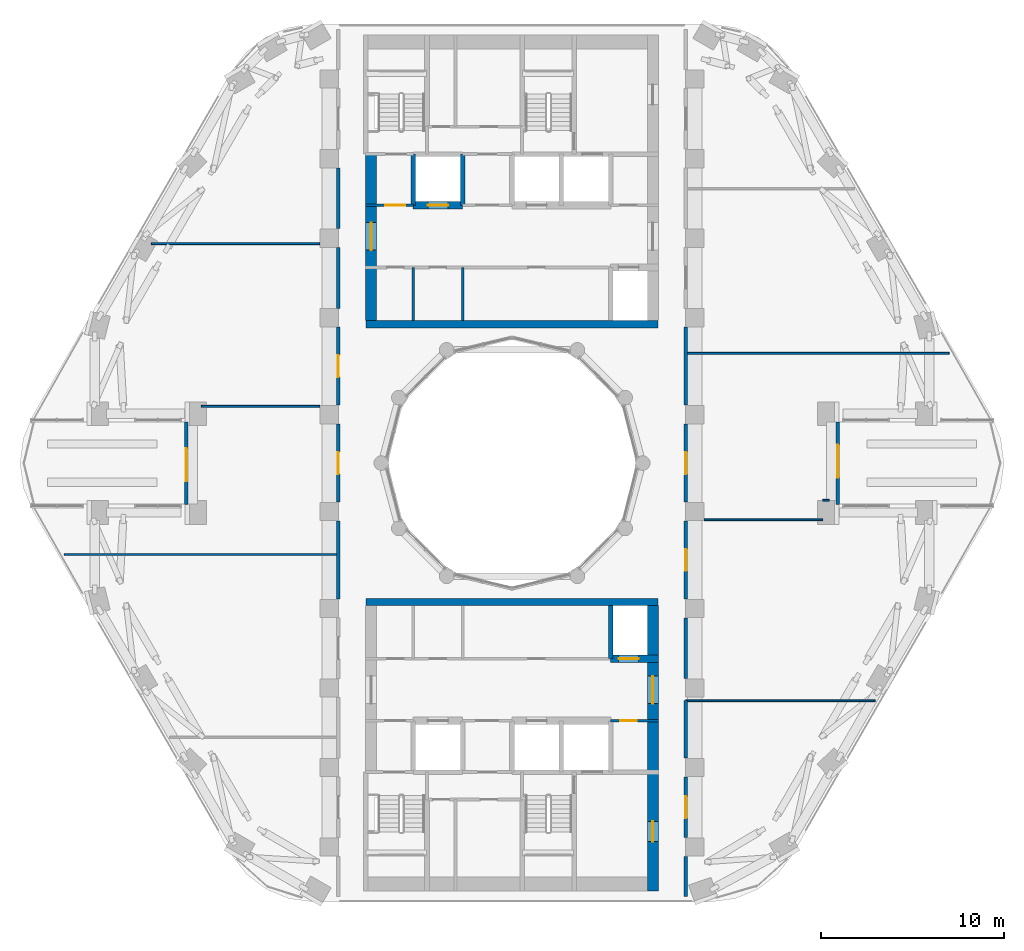
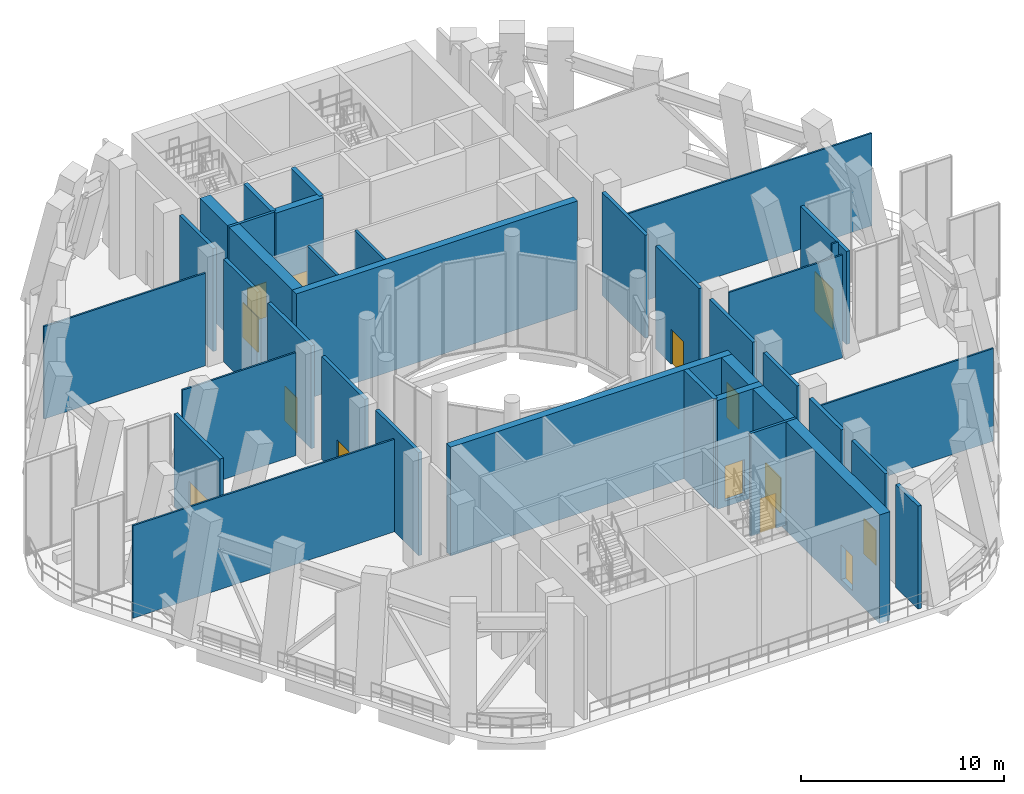
# One storey, part 9 of 19: 34 walls, 14 doors, 14 openings.
"""IFC4 building model written with IfcOpenShell, lengths in metres."""

from ifc_helpers import new_model, si_unit, direction, frame, frame_2d, origin, place, context, subcontext, project, spatial, rectangle, extrude, material, layer, layer_set, type_object, element, fill, save


model = new_model("IFC4")

# Units and contexts
model_context = context("Model", 3, precision=1e-05, world=origin(), true_north=direction((0.0, 1.0)))
body_context = subcontext(model_context, "Body", "Model", "MODEL_VIEW")
ifc_project = project(units=[si_unit("LENGTHUNIT", "METRE"), si_unit("AREAUNIT", "SQUARE_METRE"), si_unit("VOLUMEUNIT", "CUBIC_METRE"), si_unit("PLANEANGLEUNIT", "RADIAN"), si_unit("MASSUNIT", "GRAM", prefix="KILO")], contexts=[model_context])

# Site, building, storey
site_placement = place(None, origin())
site = spatial("IfcSite", under=ifc_project, at=site_placement, CompositionType="ELEMENT")
building_placement = place(site_placement, origin())
building = spatial("IfcBuilding", under=site, at=building_placement, Name="Nakaniwa Court", CompositionType="ELEMENT")
storey_placement = place(building_placement, frame((0.0, 0.0, 170.10009765625)))
storey = spatial("IfcBuildingStorey", under=building, at=storey_placement, Name="S3", CompositionType="ELEMENT", Elevation=170.10009765625)

# Wall
ifc_material_1 = material(Name="Acoustic double stud partition")
ifc_layer_1 = layer(ifc_material_1, 0.199951171875)
ifc_layer_set_1 = layer_set([ifc_layer_1], Name="Acoustic double stud partition")
wall_type_1 = type_object("IfcWallType", Name="Acoustic double stud partition 200", PredefinedType="PARTITIONING", material=ifc_layer_set_1)
wall_1_placement = place(storey_placement, frame((89.5, 56.300048828125, 0.0), z_axis=(0.0, 0.0, 1.0), x_axis=(0.0, 1.0, 0.0)))
element("IfcWall", 1, at=wall_1_placement, inside=storey, type_object=wall_type_1, Name="Partition PW-059", PredefinedType="PARTITIONING", context=body_context, shape_type="SweptSolid", body=[
    extrude(rectangle(XDim=2.182861328125, YDim=0.199951171875, at=frame_2d((1.09130859375, 0.0))), origin(), (0.0, 0.0, 1.0), 6.18994140625),
])

# Wall, opening, door
wall_2_placement = place(storey_placement, frame((89.5, 62.8330078125, 0.0), z_axis=(0.0, 0.0, 1.0), x_axis=(0.0, -1.0, 0.0)))
wall_2 = element("IfcWall", 2, at=wall_2_placement, inside=storey, type_object=wall_type_1, Name="Partition PW-060", PredefinedType="PARTITIONING", context=body_context, shape_type="SweptSolid", body=[
    extrude(rectangle(XDim=3.31591796875, YDim=0.199951171875, at=frame_2d((1.657958984375, 0.0))), origin(), (0.0, 0.0, 1.0), 6.18994140625),
])
opening_1_placement = place(wall_2_placement, frame((1.05810546875, 0.0, 0.0)))
opening_1 = element("IfcOpeningElement", 3, at=opening_1_placement, cuts=wall_2, Name="Opening D-35-01", PredefinedType="OPENING", context=body_context, shape_type="SweptSolid", body=[
    extrude(rectangle(XDim=1.199951171875, YDim=2.10009765625, at=frame_2d((0.60009765625, 1.050048828125))), frame((0.0, 0.10986328125, 0.0), z_axis=(0.0, -1.0, 0.0), x_axis=(1.0, 0.0, 0.0)), (0.0, 0.0, 1.0), 0.219970703125),
])
ifc_material_2 = material(Name="Fire rated steel door set", Category="steel")
door_type_1 = type_object("IfcDoorType", Name="Service room door 1200", OperationType="NOTDEFINED", PredefinedType="DOOR", material=ifc_material_2)
door_1_placement = place(opening_1_placement, origin())
door_1 = element("IfcDoor", 4, at=door_1_placement, inside=storey, type_object=door_type_1, Name="Door D-35-01 S3-023", OperationType="SINGLE_SWING_RIGHT", OverallHeight=2.10009765625, OverallWidth=1.199951171875, PredefinedType="DOOR", context=body_context, shape_type="SweptSolid", body=[
    extrude(rectangle(XDim=1.199951171875, YDim=2.10009765625, at=frame_2d((0.60009765625, 1.050048828125))), frame((0.0, 0.02490234375, 0.0), z_axis=(0.0, -1.0, 0.0), x_axis=(1.0, 0.0, 0.0)), (0.0, 0.0, 1.0), 0.050048828125),
])
fill(opening_1, door_1)

# Walls
wall_3_placement = place(storey_placement, frame((89.5, 63.866943359375, 0.0), z_axis=(0.0, 0.0, 1.0), x_axis=(0.0, 1.0, 0.0)))
element("IfcWall", 5, at=wall_3_placement, inside=storey, type_object=wall_type_1, Name="Partition PW-061", PredefinedType="PARTITIONING", context=body_context, shape_type="SweptSolid", body=[
    extrude(rectangle(XDim=3.135986328125, YDim=0.199951171875, at=frame_2d((1.56787109375, 0.0))), origin(), (0.0, 0.0, 1.0), 6.18994140625),
])
wall_4_placement = place(storey_placement, frame((89.5, 68.217041015625, 0.0), z_axis=(0.0, 0.0, 1.0), x_axis=(0.0, 1.0, 0.0)))
element("IfcWall", 6, at=wall_4_placement, inside=storey, type_object=wall_type_1, Name="Partition PW-062", PredefinedType="PARTITIONING", context=body_context, shape_type="SweptSolid", body=[
    extrude(rectangle(XDim=3.31591796875, YDim=0.199951171875, at=frame_2d((1.657958984375, 0.0))), origin(), (0.0, 0.0, 1.0), 6.18994140625),
])

# Wall, opening, door
wall_5_placement = place(storey_placement, frame((89.5, 76.8330078125, 0.0), z_axis=(0.0, 0.0, 1.0), x_axis=(0.0, -1.0, 0.0)))
wall_5 = element("IfcWall", 7, at=wall_5_placement, inside=storey, type_object=wall_type_1, Name="Partition PW-063", PredefinedType="PARTITIONING", context=body_context, shape_type="SweptSolid", body=[
    extrude(rectangle(XDim=4.26611328125, YDim=0.199951171875, at=frame_2d((2.133056640625, 0.0))), origin(), (0.0, 0.0, 1.0), 6.18994140625),
])
opening_2_placement = place(wall_5_placement, frame((1.532958984375, 0.0, 0.0)))
opening_2 = element("IfcOpeningElement", 8, at=opening_2_placement, cuts=wall_5, Name="Opening D-30-01", PredefinedType="OPENING", context=body_context, shape_type="SweptSolid", body=[
    extrude(rectangle(XDim=1.199951171875, YDim=2.10009765625, at=frame_2d((0.60009765625, 1.050048828125))), frame((0.0, 0.10986328125, 0.0), z_axis=(0.0, -1.0, 0.0), x_axis=(1.0, 0.0, 0.0)), (0.0, 0.0, 1.0), 0.219970703125),
])
ifc_material_3 = material(Name="Solid core timber door set, black veneer", Category="wood")
door_type_2 = type_object("IfcDoorType", Name="Internal door 1200", OperationType="NOTDEFINED", PredefinedType="DOOR", material=ifc_material_3)
door_2_placement = place(opening_2_placement, origin())
door_2 = element("IfcDoor", 9, at=door_2_placement, inside=storey, type_object=door_type_2, Name="Door D-30-01 S3-024", OperationType="SINGLE_SWING_LEFT", OverallHeight=2.10009765625, OverallWidth=1.199951171875, PredefinedType="DOOR", context=body_context, shape_type="SweptSolid", body=[
    extrude(rectangle(XDim=1.199951171875, YDim=2.10009765625, at=frame_2d((0.60009765625, 1.050048828125))), frame((0.0, 0.02490234375, 0.0), z_axis=(0.0, -1.0, 0.0), x_axis=(1.0, 0.0, 0.0)), (0.0, 0.0, 1.0), 0.050048828125),
])
fill(opening_2, door_2)

wall_6_placement = place(storey_placement, frame((89.5, 82.133056640625, 0.0), z_axis=(0.0, 0.0, 1.0), x_axis=(0.0, -1.0, 0.0)))
wall_6 = element("IfcWall", 10, at=wall_6_placement, inside=storey, type_object=wall_type_1, Name="Partition PW-064", PredefinedType="PARTITIONING", context=body_context, shape_type="SweptSolid", body=[
    extrude(rectangle(XDim=4.26611328125, YDim=0.199951171875, at=frame_2d((2.133056640625, 0.0))), origin(), (0.0, 0.0, 1.0), 6.18994140625),
])
opening_3_placement = place(wall_6_placement, frame((1.532958984375, 0.0, 0.0)))
opening_3 = element("IfcOpeningElement", 11, at=opening_3_placement, cuts=wall_6, Name="Opening D-30-02", PredefinedType="OPENING", context=body_context, shape_type="SweptSolid", body=[
    extrude(rectangle(XDim=1.199951171875, YDim=2.10009765625, at=frame_2d((0.60009765625, 1.050048828125))), frame((0.0, 0.10986328125, 0.0), z_axis=(0.0, -1.0, 0.0), x_axis=(1.0, 0.0, 0.0)), (0.0, 0.0, 1.0), 0.219970703125),
])
door_3_placement = place(opening_3_placement, origin())
door_3 = element("IfcDoor", 12, at=door_3_placement, inside=storey, type_object=door_type_2, Name="Door D-30-02 S3-025", OperationType="SINGLE_SWING_RIGHT", OverallHeight=2.10009765625, OverallWidth=1.199951171875, PredefinedType="DOOR", context=body_context, shape_type="SweptSolid", body=[
    extrude(rectangle(XDim=1.199951171875, YDim=2.10009765625, at=frame_2d((0.60009765625, 1.050048828125))), frame((0.0, 0.02490234375, 0.0), z_axis=(0.0, -1.0, 0.0), x_axis=(1.0, 0.0, 0.0)), (0.0, 0.0, 1.0), 0.050048828125),
])
fill(opening_3, door_3)

# Walls
for number, where, z_axis, x_axis, name in (
    (13, (89.5, 83.1669921875, 0.0), (0.0, 0.0, 1.0), (0.0, 1.0, 0.0), "Partition PW-065"),
    (14, (70.5, 72.56689453125, 0.0), (0.0, 0.0, 1.0), (0.0, 1.0, 0.0), "Partition PW-078"),
):
    element("IfcWall", number, at=place(storey_placement, frame(where, z_axis=z_axis, x_axis=x_axis)), inside=storey, type_object=wall_type_1, Name=name, PredefinedType="PARTITIONING", context=body_context, shape_type="SweptSolid", body=[
        extrude(rectangle(XDim=4.26611328125, YDim=0.199951171875, at=frame_2d((2.133056640625, 0.0))), origin(), (0.0, 0.0, 1.0), 6.18994140625),
    ])

# Wall, opening, door
wall_7_placement = place(storey_placement, frame((70.5, 77.866943359375, 0.0), z_axis=(0.0, 0.0, 1.0), x_axis=(0.0, 1.0, 0.0)))
wall_7 = element("IfcWall", 15, at=wall_7_placement, inside=storey, type_object=wall_type_1, Name="Partition PW-079", PredefinedType="PARTITIONING", context=body_context, shape_type="SweptSolid", body=[
    extrude(rectangle(XDim=4.26611328125, YDim=0.199951171875, at=frame_2d((2.133056640625, 0.0))), origin(), (0.0, 0.0, 1.0), 6.18994140625),
])
opening_4_placement = place(wall_7_placement, frame((1.532958984375, 0.0, 0.0)))
opening_4 = element("IfcOpeningElement", 16, at=opening_4_placement, cuts=wall_7, Name="Opening D-30-05", PredefinedType="OPENING", context=body_context, shape_type="SweptSolid", body=[
    extrude(rectangle(XDim=1.199951171875, YDim=2.10009765625, at=frame_2d((0.60009765625, 1.050048828125))), frame((0.0, 0.10986328125, 0.0), z_axis=(0.0, -1.0, 0.0), x_axis=(1.0, 0.0, 0.0)), (0.0, 0.0, 1.0), 0.219970703125),
])
door_4_placement = place(opening_4_placement, origin())
door_4 = element("IfcDoor", 17, at=door_4_placement, inside=storey, type_object=door_type_2, Name="Door D-30-05 S3-030", OperationType="SINGLE_SWING_LEFT", OverallHeight=2.10009765625, OverallWidth=1.199951171875, PredefinedType="DOOR", context=body_context, shape_type="SweptSolid", body=[
    extrude(rectangle(XDim=1.199951171875, YDim=2.10009765625, at=frame_2d((0.60009765625, 1.050048828125))), frame((0.0, 0.02490234375, 0.0), z_axis=(0.0, -1.0, 0.0), x_axis=(1.0, 0.0, 0.0)), (0.0, 0.0, 1.0), 0.050048828125),
])
fill(opening_4, door_4)

wall_8_placement = place(storey_placement, frame((70.5, 83.1669921875, 0.0), z_axis=(0.0, 0.0, 1.0), x_axis=(0.0, 1.0, 0.0)))
wall_8 = element("IfcWall", 18, at=wall_8_placement, inside=storey, type_object=wall_type_1, Name="Partition PW-080", PredefinedType="PARTITIONING", context=body_context, shape_type="SweptSolid", body=[
    extrude(rectangle(XDim=4.26611328125, YDim=0.199951171875, at=frame_2d((2.133056640625, 0.0))), origin(), (0.0, 0.0, 1.0), 6.18994140625),
])
opening_5_placement = place(wall_8_placement, frame((1.532958984375, 0.0, 0.0)))
opening_5 = element("IfcOpeningElement", 19, at=opening_5_placement, cuts=wall_8, Name="Opening D-35-04", PredefinedType="OPENING", context=body_context, shape_type="SweptSolid", body=[
    extrude(rectangle(XDim=1.199951171875, YDim=2.10009765625, at=frame_2d((0.60009765625, 1.050048828125))), frame((0.0, 0.10986328125, 0.0), z_axis=(0.0, -1.0, 0.0), x_axis=(1.0, 0.0, 0.0)), (0.0, 0.0, 1.0), 0.219970703125),
])
door_5_placement = place(opening_5_placement, origin())
door_5 = element("IfcDoor", 20, at=door_5_placement, inside=storey, type_object=door_type_1, Name="Door D-35-04 S3-031", OperationType="SINGLE_SWING_RIGHT", OverallHeight=2.10009765625, OverallWidth=1.199951171875, PredefinedType="DOOR", context=body_context, shape_type="SweptSolid", body=[
    extrude(rectangle(XDim=1.199951171875, YDim=2.10009765625, at=frame_2d((0.60009765625, 1.050048828125))), frame((0.0, 0.02490234375, 0.0), z_axis=(0.0, -1.0, 0.0), x_axis=(1.0, 0.0, 0.0)), (0.0, 0.0, 1.0), 0.050048828125),
])
fill(opening_5, door_5)

# Walls
wall_9_placement = place(storey_placement, frame((70.5, 88.467041015625, 0.0), z_axis=(0.0, 0.0, 1.0), x_axis=(0.0, 1.0, 0.0)))
element("IfcWall", 21, at=wall_9_placement, inside=storey, type_object=wall_type_1, Name="Partition PW-081", PredefinedType="PARTITIONING", context=body_context, shape_type="SweptSolid", body=[
    extrude(rectangle(XDim=3.31591796875, YDim=0.199951171875, at=frame_2d((1.657958984375, 0.0))), origin(), (0.0, 0.0, 1.0), 6.18994140625),
])
wall_10_placement = place(storey_placement, frame((70.5, 92.81689453125, 0.0), z_axis=(0.0, 0.0, 1.0), x_axis=(0.0, 1.0, 0.0)))
element("IfcWall", 22, at=wall_10_placement, inside=storey, type_object=wall_type_1, Name="Partition PW-082", PredefinedType="PARTITIONING", context=body_context, shape_type="SweptSolid", body=[
    extrude(rectangle(XDim=3.316162109375, YDim=0.199951171875, at=frame_2d((1.658203125, 0.0))), origin(), (0.0, 0.0, 1.0), 6.18994140625),
])

# Wall, opening, door
ifc_material_4 = material(Name="Charcoal ceramic cladding")
ifc_layer_2 = layer(ifc_material_4, 0.02, Name="Ceramic cladding")
ifc_material_5 = material(Name="Ventilated air cavity")
ifc_layer_3 = layer(ifc_material_5, 0.04, ventilated=True, Name="Ventilated cavity")
ifc_material_6 = material(Name="Mineral wool insulation")
ifc_layer_4 = layer(ifc_material_6, 0.05, Name="Insulation")
ifc_material_7 = material(Name="Cement bonded sheathing board")
ifc_layer_5 = layer(ifc_material_7, 0.012, Name="Sheathing")
ifc_material_8 = material(Name="Cold-formed galvanised stud frame with mineral wool infill")
ifc_layer_6 = layer(ifc_material_8, 0.05, Name="Stud frame")
ifc_material_9 = material(Name="Fire-rated gypsum plasterboard lining")
ifc_layer_7 = layer(ifc_material_9, 0.028, Name="Lining")
ifc_layer_set_2 = layer_set([ifc_layer_2, ifc_layer_3, ifc_layer_4, ifc_layer_5, ifc_layer_6, ifc_layer_7], Name="Charcoal ceramic faced external wall system")
wall_type_2 = type_object("IfcWallType", Name="Black ceramic faced external wall 200", PredefinedType="SOLIDWALL", material=ifc_layer_set_2)
wall_11_placement = place(storey_placement, frame((62.191650390625, 82.25390625, 0.0), z_axis=(0.0, 0.0, 1.0), x_axis=(0.0, -1.0, 0.0)))
wall_11 = element("IfcWall", 23, at=wall_11_placement, inside=storey, type_object=wall_type_2, Name="S3 sky garden terrace wall 1", PredefinedType="SOLIDWALL", context=body_context, shape_type="SweptSolid", body=[
    extrude(rectangle(XDim=4.5078125, YDim=0.199951171875, at=frame_2d((2.25390625, 0.0))), origin(), (0.0, 0.0, 1.0), 5.58984375),
])
opening_6_placement = place(wall_11_placement, frame((1.4541015625, 0.0, 0.0)))
opening_6 = element("IfcOpeningElement", 24, at=opening_6_placement, cuts=wall_11, Name="Opening XD11.01", PredefinedType="OPENING", context=body_context, shape_type="SweptSolid", body=[
    extrude(rectangle(XDim=1.800048828125, YDim=2.39990234375, at=frame_2d((0.89990234375, 1.199951171875))), frame((0.0, 0.10986328125, 0.0), z_axis=(0.0, -1.0, 0.0), x_axis=(1.0, 0.0, 0.0)), (0.0, 0.0, 1.0), 0.219970703125),
])
ifc_material_10 = material(Name="Black powder-coated aluminium frame with dark laminated glass", Category="aluminium")
door_type_3 = type_object("IfcDoorType", Name="Terrace double door 1800x2400", OperationType="DOUBLE_DOOR_SINGLE_SWING", PredefinedType="DOOR", material=ifc_material_10)
door_6_placement = place(opening_6_placement, frame((1.800048828125, 0.0, 0.0), z_axis=(0.0, 0.0, 1.0), x_axis=(-1.0, 0.0, 0.0)))
door_6 = element("IfcDoor", 25, at=door_6_placement, inside=storey, type_object=door_type_3, Name="S3 terrace double door t1", OperationType="DOUBLE_DOOR_SINGLE_SWING", OverallHeight=2.39990234375, OverallWidth=1.800048828125, PredefinedType="DOOR", context=body_context, shape_type="SweptSolid", body=[
    extrude(rectangle(XDim=1.800048828125, YDim=2.39990234375, at=frame_2d((0.89990234375, 1.199951171875))), frame((0.0, 0.02490234375, 0.0), z_axis=(0.0, -1.0, 0.0), x_axis=(1.0, 0.0, 0.0)), (0.0, 0.0, 1.0), 0.050048828125),
])
fill(opening_6, door_6)

wall_12_placement = place(storey_placement, frame((97.808349609375, 77.74609375, 0.0), z_axis=(0.0, 0.0, 1.0), x_axis=(0.0, 1.0, 0.0)))
wall_12 = element("IfcWall", 26, at=wall_12_placement, inside=storey, type_object=wall_type_2, Name="S3 sky garden terrace wall 2", PredefinedType="SOLIDWALL", context=body_context, shape_type="SweptSolid", body=[
    extrude(rectangle(XDim=4.5078125, YDim=0.199951171875, at=frame_2d((2.25390625, 0.0))), origin(), (0.0, 0.0, 1.0), 5.58984375),
])
opening_7_placement = place(wall_12_placement, frame((1.4541015625, 0.0, 0.0)))
opening_7 = element("IfcOpeningElement", 27, at=opening_7_placement, cuts=wall_12, Name="Opening XD11.02", PredefinedType="OPENING", context=body_context, shape_type="SweptSolid", body=[
    extrude(rectangle(XDim=1.800048828125, YDim=2.39990234375, at=frame_2d((0.89990234375, 1.199951171875))), frame((0.0, 0.10986328125, 0.0), z_axis=(0.0, -1.0, 0.0), x_axis=(1.0, 0.0, 0.0)), (0.0, 0.0, 1.0), 0.219970703125),
])
door_7_placement = place(opening_7_placement, frame((1.800048828125, 0.0, 0.0), z_axis=(0.0, 0.0, 1.0), x_axis=(-1.0, 0.0, 0.0)))
door_7 = element("IfcDoor", 28, at=door_7_placement, inside=storey, type_object=door_type_3, Name="S3 terrace double door t2", OperationType="DOUBLE_DOOR_SINGLE_SWING", OverallHeight=2.39990234375, OverallWidth=1.800048828125, PredefinedType="DOOR", context=body_context, shape_type="SweptSolid", body=[
    extrude(rectangle(XDim=1.800048828125, YDim=2.39990234375, at=frame_2d((0.89990234375, 1.199951171875))), frame((0.0, 0.02490234375, 0.0), z_axis=(0.0, -1.0, 0.0), x_axis=(1.0, 0.0, 0.0)), (0.0, 0.0, 1.0), 0.050048828125),
])
fill(opening_7, door_7)

# Walls
ifc_material_11 = material(Name="Blockwork partition", Category="masonry")
ifc_layer_8 = layer(ifc_material_11, 0.14990234375)
ifc_layer_set_3 = layer_set([ifc_layer_8], Name="Blockwork partition")
wall_type_3 = type_object("IfcWallType", Name="Blockwork partition 150", PredefinedType="PARTITIONING", material=ifc_layer_set_3)
for number, where, z_axis, x_axis, name in (
    (29, (74.60009765625, 87.800048828125, 0.0), (0.0, 0.0, 1.0), (0.0, 1.0, 0.0), "Partition PW-001"),
    (30, (77.300048828125, 87.800048828125, 0.0), (0.0, 0.0, 1.0), (0.0, 1.0, 0.0), "Partition PW-008"),
):
    element("IfcWall", number, at=place(storey_placement, frame(where, z_axis=z_axis, x_axis=x_axis)), inside=storey, type_object=wall_type_3, Name=name, PredefinedType="PARTITIONING", context=body_context, shape_type="SweptSolid", body=[
        extrude(rectangle(XDim=2.89990234375, YDim=0.14990234375, at=frame_2d((1.449951171875, 0.0))), origin(), (0.0, 0.0, 1.0), 6.18994140625),
    ])

# Wall, opening, door
wall_13_placement = place(storey_placement, frame((72.0, 94.10009765625, 0.0), z_axis=(0.0, 0.0, 1.0), x_axis=(1.0, 0.0, 0.0)))
wall_13 = element("IfcWall", 31, at=wall_13_placement, inside=storey, type_object=wall_type_3, Name="Partition PW-009", PredefinedType="PARTITIONING", context=body_context, shape_type="SweptSolid", body=[
    extrude(rectangle(XDim=2.60302734375, YDim=0.14990234375, at=frame_2d((1.301513671875, 0.0))), origin(), (0.0, 0.0, 1.0), 6.18994140625),
])
opening_8_placement = place(wall_13_placement, frame((1.074951171875, 0.0, 0.0)))
opening_8 = element("IfcOpeningElement", 32, at=opening_8_placement, cuts=wall_13, Name="Opening D-08-01", PredefinedType="OPENING", context=body_context, shape_type="SweptSolid", body=[
    extrude(rectangle(XDim=1.10009765625, YDim=2.10009765625, at=frame_2d((0.550048828125, 1.050048828125))), frame((0.0, 0.0849609375, 0.0), z_axis=(0.0, -1.0, 0.0), x_axis=(1.0, 0.0, 0.0)), (0.0, 0.0, 1.0), 0.169921875),
])
door_type_4 = type_object("IfcDoorType", Name="Stair lobby door 1100", OperationType="NOTDEFINED", PredefinedType="DOOR", material=ifc_material_2)
door_8_placement = place(opening_8_placement, origin())
door_8 = element("IfcDoor", 33, at=door_8_placement, inside=storey, type_object=door_type_4, Name="Door D-08-01 S3-004", OperationType="SINGLE_SWING_LEFT", OverallHeight=2.10009765625, OverallWidth=1.10009765625, PredefinedType="DOOR", context=body_context, shape_type="SweptSolid", body=[
    extrude(rectangle(XDim=1.10009765625, YDim=2.10009765625, at=frame_2d((0.550048828125, 1.050048828125))), frame((0.0, 0.02490234375, 0.0), z_axis=(0.0, -1.0, 0.0), x_axis=(1.0, 0.0, 0.0)), (0.0, 0.0, 1.0), 0.050048828125),
])
fill(opening_8, door_8)

wall_14_placement = place(storey_placement, frame((88.0, 65.89990234375, 0.0), z_axis=(0.0, 0.0, 1.0), x_axis=(-1.0, 0.0, 0.0)))
wall_14 = element("IfcWall", 34, at=wall_14_placement, inside=storey, type_object=wall_type_3, Name="Partition PW-040", PredefinedType="PARTITIONING", context=body_context, shape_type="SweptSolid", body=[
    extrude(rectangle(XDim=2.60302734375, YDim=0.14990234375, at=frame_2d((1.301513671875, 0.0))), origin(), (0.0, 0.0, 1.0), 6.18994140625),
])
opening_9_placement = place(wall_14_placement, frame((1.175048828125, 0.0, 0.0)))
opening_9 = element("IfcOpeningElement", 35, at=opening_9_placement, cuts=wall_14, Name="Opening D-05-10", PredefinedType="OPENING", context=body_context, shape_type="SweptSolid", body=[
    extrude(rectangle(XDim=0.89990234375, YDim=2.10009765625, at=frame_2d((0.449951171875, 1.050048828125))), frame((0.0, 0.0849609375, 0.0), z_axis=(0.0, -1.0, 0.0), x_axis=(1.0, 0.0, 0.0)), (0.0, 0.0, 1.0), 0.169921875),
])
door_type_5 = type_object("IfcDoorType", Name="Service room door 900", OperationType="NOTDEFINED", PredefinedType="DOOR", material=ifc_material_2)
door_9_placement = place(opening_9_placement, origin())
door_9 = element("IfcDoor", 36, at=door_9_placement, inside=storey, type_object=door_type_5, Name="Door D-05-10 S3-017", OperationType="SINGLE_SWING_RIGHT", OverallHeight=2.10009765625, OverallWidth=0.89990234375, PredefinedType="DOOR", context=body_context, shape_type="SweptSolid", body=[
    extrude(rectangle(XDim=0.89990234375, YDim=2.10009765625, at=frame_2d((0.449951171875, 1.050048828125))), frame((0.0, 0.02490234375, 0.0), z_axis=(0.0, -1.0, 0.0), x_axis=(1.0, 0.0, 0.0)), (0.0, 0.0, 1.0), 0.050048828125),
])
fill(opening_9, door_9)

ifc_material_12 = material(Name="Concrete C80/100", Category="concrete")
ifc_layer_9 = layer(ifc_material_12, 0.60009765625)
ifc_layer_set_4 = layer_set([ifc_layer_9], Name="Concrete C80/100")
wall_type_4 = type_object("IfcWallType", Name="Concrete core side wall 600 C80", PredefinedType="SHEAR", material=ifc_layer_set_4)
wall_15_placement = place(storey_placement, frame((72.300048828125, 87.800048828125, -0.35009765625), z_axis=(0.0, 0.0, 1.0), x_axis=(0.0, 1.0, 0.0)))
wall_15 = element("IfcWall", 37, at=wall_15_placement, inside=storey, type_object=wall_type_4, Name="Core wall SW-03", PredefinedType="SHEAR", context=body_context, shape_type="SweptSolid", body=[
    extrude(rectangle(XDim=9.099853515625, YDim=0.60009765625, at=frame_2d((4.5498046875, 0.0))), origin(), (0.0, 0.0, 1.0), 6.5400390625),
])
opening_10_placement = place(wall_15_placement, frame((3.85009765625, 0.0, 0.35009765625)))
opening_10 = element("IfcOpeningElement", 38, at=opening_10_placement, cuts=wall_15, Name="Opening D-07-02", PredefinedType="OPENING", context=body_context, shape_type="SweptSolid", body=[
    extrude(rectangle(XDim=1.5, YDim=2.10009765625, at=frame_2d((0.75, 1.050048828125))), frame((0.0, 0.31005859375, 0.0), z_axis=(0.0, -1.0, 0.0), x_axis=(1.0, 0.0, 0.0)), (0.0, 0.0, 1.0), 0.6201171875),
])
ifc_material_13 = material(Name="Glazed fire rated steel double door set", Category="steel")
door_type_6 = type_object("IfcDoorType", Name="Lobby double door 1500", OperationType="NOTDEFINED", PredefinedType="DOOR", material=ifc_material_13)
door_10_placement = place(opening_10_placement, origin())
door_10 = element("IfcDoor", 39, at=door_10_placement, inside=storey, type_object=door_type_6, Name="Door D-07-02 S3-034", OperationType="DOUBLE_DOOR_SINGLE_SWING", OverallHeight=2.10009765625, OverallWidth=1.5, PredefinedType="DOOR", context=body_context, shape_type="SweptSolid", body=[
    extrude(rectangle(XDim=1.5, YDim=2.10009765625, at=frame_2d((0.75, 1.050048828125))), frame((0.0, 0.02490234375, 0.0), z_axis=(0.0, -1.0, 0.0), x_axis=(1.0, 0.0, 0.0)), (0.0, 0.0, 1.0), 0.050048828125),
])
fill(opening_10, door_10)

# Wall, openings, doors
wall_16_placement = place(storey_placement, frame((87.699951171875, 72.199951171875, -0.35009765625), z_axis=(0.0, 0.0, 1.0), x_axis=(0.0, -1.0, 0.0)))
wall_16 = element("IfcWall", 40, at=wall_16_placement, inside=storey, type_object=wall_type_4, Name="Core wall SW-36", PredefinedType="SHEAR", context=body_context, shape_type="SweptSolid", body=[
    extrude(rectangle(XDim=15.599853515625, YDim=0.60009765625, at=frame_2d((7.7998046875, 0.0))), origin(), (0.0, 0.0, 1.0), 6.5400390625),
])
opening_11_placement = place(wall_16_placement, frame((3.85009765625, 0.0, 0.35009765625)))
opening_11 = element("IfcOpeningElement", 41, at=opening_11_placement, cuts=wall_16, Name="Opening D-07-03", PredefinedType="OPENING", context=body_context, shape_type="SweptSolid", body=[
    extrude(rectangle(XDim=1.5, YDim=2.10009765625, at=frame_2d((0.75, 1.050048828125))), frame((0.0, 0.31005859375, 0.0), z_axis=(0.0, -1.0, 0.0), x_axis=(1.0, 0.0, 0.0)), (0.0, 0.0, 1.0), 0.6201171875),
])
opening_12_placement = place(wall_16_placement, frame((11.800048828125, 0.0, 0.35009765625)))
opening_12 = element("IfcOpeningElement", 42, at=opening_12_placement, cuts=wall_16, Name="Opening D-10-02", PredefinedType="OPENING", context=body_context, shape_type="SweptSolid", body=[
    extrude(rectangle(XDim=1.10009765625, YDim=2.10009765625, at=frame_2d((0.550048828125, 1.050048828125))), frame((0.0, 0.31005859375, 0.0), z_axis=(0.0, -1.0, 0.0), x_axis=(1.0, 0.0, 0.0)), (0.0, 0.0, 1.0), 0.6201171875),
])
door_type_7 = type_object("IfcDoorType", Name="Firefighting lobby door 1100", OperationType="NOTDEFINED", PredefinedType="DOOR", material=ifc_material_2)
door_11_placement = place(opening_12_placement, origin())
door_11 = element("IfcDoor", 43, at=door_11_placement, inside=storey, type_object=door_type_7, Name="Door D-10-02 S3-038", OperationType="SINGLE_SWING_LEFT", OverallHeight=2.10009765625, OverallWidth=1.10009765625, PredefinedType="DOOR", context=body_context, shape_type="SweptSolid", body=[
    extrude(rectangle(XDim=1.10009765625, YDim=2.10009765625, at=frame_2d((0.550048828125, 1.050048828125))), frame((0.0, 0.02490234375, 0.0), z_axis=(0.0, -1.0, 0.0), x_axis=(1.0, 0.0, 0.0)), (0.0, 0.0, 1.0), 0.050048828125),
])
fill(opening_12, door_11)
door_12_placement = place(opening_11_placement, origin())
door_12 = element("IfcDoor", 44, at=door_12_placement, inside=storey, type_object=door_type_6, Name="Door D-07-03 S3-036", OperationType="DOUBLE_DOOR_SINGLE_SWING", OverallHeight=2.10009765625, OverallWidth=1.5, PredefinedType="DOOR", context=body_context, shape_type="SweptSolid", body=[
    extrude(rectangle(XDim=1.5, YDim=2.10009765625, at=frame_2d((0.75, 1.050048828125))), frame((0.0, 0.02490234375, 0.0), z_axis=(0.0, -1.0, 0.0), x_axis=(1.0, 0.0, 0.0)), (0.0, 0.0, 1.0), 0.050048828125),
])
fill(opening_11, door_12)

# Wall, opening, door
ifc_layer_10 = layer(ifc_material_12, 0.39990234375)
ifc_layer_set_5 = layer_set([ifc_layer_10], Name="Concrete C80/100")
wall_type_5 = type_object("IfcWallType", Name="Concrete core spine wall 400 C80", PredefinedType="SHEAR", material=ifc_layer_set_5)
wall_17_placement = place(storey_placement, frame((74.596923828125, 94.10009765625, -0.35009765625), z_axis=(0.0, 0.0, 1.0), x_axis=(1.0, 0.0, 0.0)))
wall_17 = element("IfcWall", 45, at=wall_17_placement, inside=storey, type_object=wall_type_5, Name="Core wall SW-12", PredefinedType="SHEAR", context=body_context, shape_type="SweptSolid", body=[
    extrude(rectangle(XDim=2.7060546875, YDim=0.39990234375, at=frame_2d((1.35302734375, 0.0))), origin(), (0.0, 0.0, 1.0), 6.5400390625),
])
opening_13_placement = place(wall_17_placement, frame((0.802978515625, 0.0, 0.35009765625)))
opening_13 = element("IfcOpeningElement", 46, at=opening_13_placement, cuts=wall_17, Name="Opening LD02", PredefinedType="OPENING", context=body_context, shape_type="SweptSolid", body=[
    extrude(rectangle(XDim=1.10009765625, YDim=2.10009765625, at=frame_2d((0.550048828125, 1.050048828125))), frame((0.0, 0.2099609375, 0.0), z_axis=(0.0, -1.0, 0.0), x_axis=(1.0, 0.0, 0.0)), (0.0, 0.0, 1.0), 0.419921875),
])
ifc_material_14 = material(Name="Stainless steel sliding lift landing door", Category="steel")
door_type_8 = type_object("IfcDoorType", Name="Lift landing door 1100", OperationType="NOTDEFINED", PredefinedType="DOOR", material=ifc_material_14)
door_13_placement = place(opening_13_placement, origin())
door_13 = element("IfcDoor", 47, at=door_13_placement, inside=storey, type_object=door_type_8, Name="Lift landing door LD02 S3-002", OperationType="SLIDING_TO_LEFT", OverallHeight=2.10009765625, OverallWidth=1.10009765625, PredefinedType="DOOR", context=body_context, shape_type="SweptSolid", body=[
    extrude(rectangle(XDim=1.10009765625, YDim=2.10009765625, at=frame_2d((0.550048828125, 1.050048828125))), frame((0.0, 0.02490234375, 0.0), z_axis=(0.0, -1.0, 0.0), x_axis=(1.0, 0.0, 0.0)), (0.0, 0.0, 1.0), 0.050048828125),
])
fill(opening_13, door_13)

wall_18_placement = place(storey_placement, frame((85.39990234375, 69.300048828125, -0.35009765625), z_axis=(0.0, 0.0, 1.0), x_axis=(1.0, 0.0, 0.0)))
wall_18 = element("IfcWall", 48, at=wall_18_placement, inside=storey, type_object=wall_type_5, Name="Core wall SW-35", PredefinedType="SHEAR", context=body_context, shape_type="SweptSolid", body=[
    extrude(rectangle(XDim=2.60009765625, YDim=0.39990234375, at=frame_2d((1.300048828125, 0.0))), origin(), (0.0, 0.0, 1.0), 6.5400390625),
])
opening_14_placement = place(wall_18_placement, frame((0.425048828125, 0.0, 0.35009765625)))
opening_14 = element("IfcOpeningElement", 49, at=opening_14_placement, cuts=wall_18, Name="Opening LD05", PredefinedType="OPENING", context=body_context, shape_type="SweptSolid", body=[
    extrude(rectangle(XDim=1.10009765625, YDim=2.10009765625, at=frame_2d((0.550048828125, 1.050048828125))), frame((0.0, 0.2099609375, 0.0), z_axis=(0.0, -1.0, 0.0), x_axis=(1.0, 0.0, 0.0)), (0.0, 0.0, 1.0), 0.419921875),
])
door_14_placement = place(opening_14_placement, origin())
door_14 = element("IfcDoor", 50, at=door_14_placement, inside=storey, type_object=door_type_8, Name="Lift landing door LD05 S3-005", OperationType="SLIDING_TO_LEFT", OverallHeight=2.10009765625, OverallWidth=1.10009765625, PredefinedType="DOOR", context=body_context, shape_type="SweptSolid", body=[
    extrude(rectangle(XDim=1.10009765625, YDim=2.10009765625, at=frame_2d((0.550048828125, 1.050048828125))), frame((0.0, 0.02490234375, 0.0), z_axis=(0.0, -1.0, 0.0), x_axis=(1.0, 0.0, 0.0)), (0.0, 0.0, 1.0), 0.050048828125),
])
fill(opening_14, door_14)

# Walls
ifc_layer_11 = layer(ifc_material_12, 0.39990234375)
ifc_layer_set_6 = layer_set([ifc_layer_11], Name="Concrete C80/100")
wall_type_6 = type_object("IfcWallType", Name="Concrete core well wall 400 C80", PredefinedType="SHEAR", material=ifc_layer_set_6)
for number, where, z_axis, x_axis, name in (
    (51, (72.00390625, 87.60009765625, -0.35009765625), (0.0, 0.0, 1.0), (1.0, 0.0, 0.0), "Core wall SW-90"),
    (52, (72.00390625, 72.39990234375, -0.35009765625), (0.0, 0.0, 1.0), (1.0, 0.0, 0.0), "Core wall SW-92"),
):
    element("IfcWall", number, at=place(storey_placement, frame(where, z_axis=z_axis, x_axis=x_axis)), inside=storey, type_object=wall_type_6, Name=name, PredefinedType="SHEAR", context=body_context, shape_type="SweptSolid", body=[
        extrude(rectangle(XDim=15.9921875, YDim=0.39990234375, at=frame_2d((7.99609375, 0.0))), origin(), (0.0, 0.0, 1.0), 6.5400390625),
    ])
ifc_layer_12 = layer(ifc_material_12, 0.25)
ifc_layer_set_7 = layer_set([ifc_layer_12], Name="Concrete C80/100")
wall_type_7 = type_object("IfcWallType", Name="Concrete shaft wall 250 C80", PredefinedType="SHEAR", material=ifc_layer_set_7)
for number, where, z_axis, x_axis, name in (
    (53, (74.60009765625, 94.10009765625, -0.35009765625), (0.0, 0.0, 1.0), (0.0, 1.0, 0.0), "Core wall SW-14"),
    (54, (77.300048828125, 94.10009765625, -0.35009765625), (0.0, 0.0, 1.0), (0.0, 1.0, 0.0), "Core wall SW-16"),
):
    element("IfcWall", number, at=place(storey_placement, frame(where, z_axis=z_axis, x_axis=x_axis)), inside=storey, type_object=wall_type_7, Name=name, PredefinedType="SHEAR", context=body_context, shape_type="SweptSolid", body=[
        extrude(rectangle(XDim=2.7998046875, YDim=0.25, at=frame_2d((1.39990234375, 0.0))), origin(), (0.0, 0.0, 1.0), 6.5400390625),
    ])
wall_19_placement = place(storey_placement, frame((85.39990234375, 69.300048828125, -0.35009765625), z_axis=(0.0, 0.0, 1.0), x_axis=(0.0, 1.0, 0.0)))
element("IfcWall", 55, at=wall_19_placement, inside=storey, type_object=wall_type_7, Name="Core wall SW-34", PredefinedType="SHEAR", context=body_context, shape_type="SweptSolid", body=[
    extrude(rectangle(XDim=2.89990234375, YDim=0.25, at=frame_2d((1.449951171875, 0.0))), origin(), (0.0, 0.0, 1.0), 6.5400390625),
])
ifc_material_15 = material(Name="Single stud plasterboard partition")
ifc_layer_13 = layer(ifc_material_15, 0.10009765625)
ifc_layer_set_8 = layer_set([ifc_layer_13], Name="Single stud plasterboard partition")
wall_type_8 = type_object("IfcWallType", Name="Single stud plasterboard partition 100", PredefinedType="PARTITIONING", material=ifc_layer_set_8)
wall_20_placement = place(storey_placement, frame((89.5, 67.0, 0.0), z_axis=(0.0, 0.0, 1.0), x_axis=(1.0, 0.0, 0.0)))
element("IfcWall", 56, at=wall_20_placement, inside=storey, type_object=wall_type_8, Name="Partition PW-070", PredefinedType="PARTITIONING", context=body_context, shape_type="SweptSolid", body=[
    extrude(rectangle(XDim=10.36083984375, YDim=0.10009765625, at=frame_2d((5.180419921875, 0.0))), origin(), (0.0, 0.0, 1.0), 5.56982421875),
])
wall_21_placement = place(storey_placement, frame((90.52001953125, 76.89990234375, 0.0), z_axis=(0.0, 0.0, 1.0), x_axis=(1.0, 0.0, 0.0)))
element("IfcWall", 57, at=wall_21_placement, inside=storey, type_object=wall_type_8, Name="Partition PW-071", PredefinedType="PARTITIONING", context=body_context, shape_type="SweptSolid", body=[
    extrude(rectangle(XDim=6.46826171875, YDim=0.10009765625, at=frame_2d((3.234130859375, 0.0))), origin(), (0.0, 0.0, 1.0), 6.18994140625),
])
wall_22_placement = place(storey_placement, frame((89.5, 86.0, 0.0), z_axis=(0.0, 0.0, 1.0), x_axis=(1.0, 0.0, 0.0)))
element("IfcWall", 58, at=wall_22_placement, inside=storey, type_object=wall_type_8, Name="Partition PW-072", PredefinedType="PARTITIONING", context=body_context, shape_type="SweptSolid", body=[
    extrude(rectangle(XDim=14.40234375, YDim=0.10009765625, at=frame_2d((7.201171875, 0.0))), origin(), (0.0, 0.0, 1.0), 5.56982421875),
])
wall_23_placement = place(storey_placement, frame((55.5205078125, 75.0, 0.0), z_axis=(0.0, 0.0, 1.0), x_axis=(1.0, 0.0, 0.0)))
element("IfcWall", 59, at=wall_23_placement, inside=storey, type_object=wall_type_8, Name="Partition PW-086", PredefinedType="PARTITIONING", context=body_context, shape_type="SweptSolid", body=[
    extrude(rectangle(XDim=14.9794921875, YDim=0.10009765625, at=frame_2d((7.48974609375, 0.0))), origin(), (0.0, 0.0, 1.0), 5.56982421875),
])
wall_24_placement = place(storey_placement, frame((63.01171875, 83.10009765625, 0.0), z_axis=(0.0, 0.0, 1.0), x_axis=(1.0, 0.0, 0.0)))
element("IfcWall", 60, at=wall_24_placement, inside=storey, type_object=wall_type_8, Name="Partition PW-087", PredefinedType="PARTITIONING", context=body_context, shape_type="SweptSolid", body=[
    extrude(rectangle(XDim=6.46826171875, YDim=0.10009765625, at=frame_2d((3.234130859375, 0.0))), origin(), (0.0, 0.0, 1.0), 6.18994140625),
])
wall_25_placement = place(storey_placement, frame((60.27783203125, 92.0, 0.0), z_axis=(0.0, 0.0, 1.0), x_axis=(1.0, 0.0, 0.0)))
element("IfcWall", 61, at=wall_25_placement, inside=storey, type_object=wall_type_8, Name="Partition PW-088", PredefinedType="PARTITIONING", context=body_context, shape_type="SweptSolid", body=[
    extrude(rectangle(XDim=9.2021484375, YDim=0.10009765625, at=frame_2d((4.60107421875, 0.0))), origin(), (0.0, 0.0, 1.0), 5.56982421875),
])
wall_26_placement = place(storey_placement, frame((96.98828125, 77.969970703125, 0.0), z_axis=(0.0, 0.0, 1.0), x_axis=(1.0, 0.0, 0.0)))
element("IfcWall", 62, at=wall_26_placement, inside=storey, type_object=wall_type_8, Name="Partition PW-089", PredefinedType="PARTITIONING", context=body_context, shape_type="SweptSolid", body=[
    extrude(rectangle(XDim=0.3701171875, YDim=0.10009765625, at=frame_2d((0.18505859375, 0.0))), origin(), (0.0, 0.0, 1.0), 6.18994140625),
])

save(model, "model.ifc")
